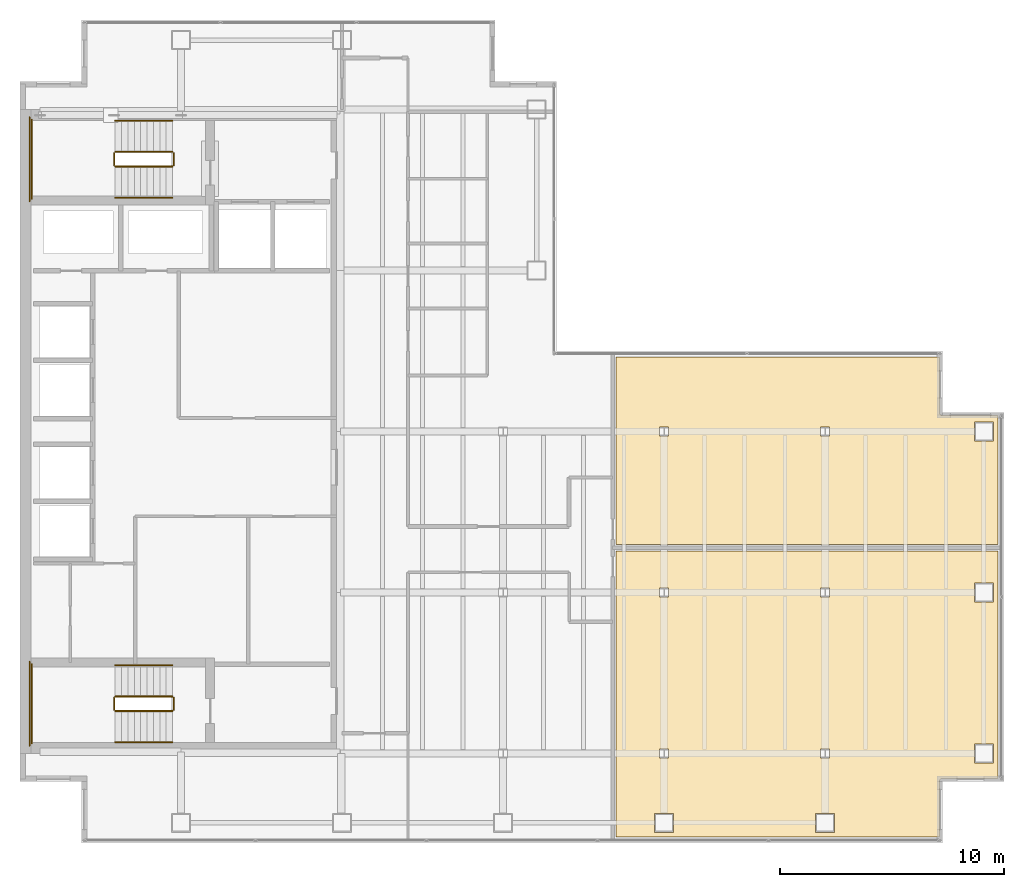
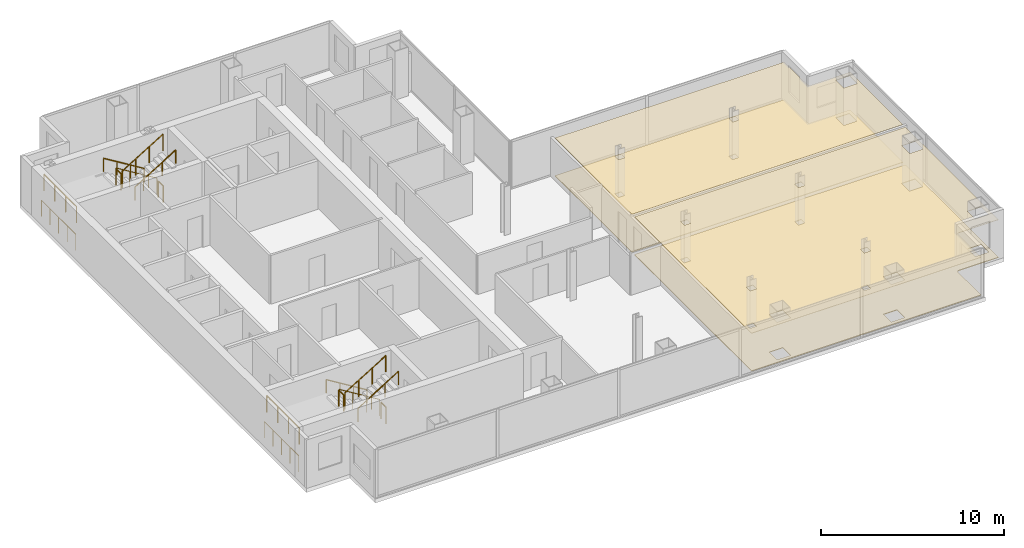
# One storey, part 23 of 23: 16 railings, 4 coverings.
"""IFC4 building model written with IfcOpenShell, lengths in metres."""

import ifcopenshell
import ifcopenshell.guid

model = None  # the IFC model being written
_history = None  # IfcOwnerHistory: only IFC2X3 demands one
_inside = {}  # id of a spatial element -> (the spatial element, [elements in it])
_under = {}  # id of a project, library or spatial element -> (it, [spatial elements below it])
_declared = {}  # id of a project -> (the project, [libraries it declares])
_typed = {}  # id of a type object -> (the type object, [elements of that type])
_made_of = {}  # id of a material, layer set ... -> (it, [elements and type objects made of it])


def new_model(schema):
    """Start an empty IFC model of exactly this schema.

    Asked for "IFC4X3", IfcOpenShell would pick the latest addendum, in which some entities
    have other attributes; the version numbers below select the first issue.
    IFC2X3 requires an IfcOwnerHistory on every rooted entity: one is made here for all.
    """
    global model, _history
    if schema == "IFC4X3":
        model = ifcopenshell.file(schema_version=(4, 3, 0, 0))
    else:
        model = ifcopenshell.file(schema=schema)
    _inside.clear()
    _under.clear()
    _declared.clear()
    _typed.clear()
    _made_of.clear()
    _history = None
    if model.schema == "IFC2X3":
        org = make("IfcOrganization", Name="unknown")
        user = make(
            "IfcPersonAndOrganization",
            ThePerson=make("IfcPerson", FamilyName="unknown"),
            TheOrganization=org,
        )
        app = make(
            "IfcApplication",
            ApplicationDeveloper=org,
            Version="unknown",
            ApplicationFullName="unknown",
            ApplicationIdentifier="unknown",
        )
        _history = make(
            "IfcOwnerHistory",
            OwningUser=user,
            OwningApplication=app,
            ChangeAction="ADDED",
            CreationDate=0,
        )
    return model


def make(cls, **values):
    """One entity of the class cls with the attributes given. An attribute that is None is left unset."""
    return model.create_entity(
        cls, **{name: value for name, value in values.items() if value is not None}
    )


def rooted(cls, **values):
    """An entity with a GlobalId (a new one), such as an element, a storey or a relation."""
    return make(cls, GlobalId=ifcopenshell.guid.new(), OwnerHistory=_history, **values)


def si_unit(unit_type, name, prefix=None):
    """IfcSIUnit, for example si_unit("LENGTHUNIT", "METRE", prefix="MILLI")."""
    return make("IfcSIUnit", UnitType=unit_type, Prefix=prefix, Name=name)


def assignment(units):
    """IfcUnitAssignment: the units of a project."""
    return None if units is None else make("IfcUnitAssignment", Units=units)


def point(xyz):
    """IfcCartesianPoint."""
    return None if xyz is None else make("IfcCartesianPoint", Coordinates=xyz)


def direction(xyz):
    """IfcDirection."""
    return None if xyz is None else make("IfcDirection", DirectionRatios=xyz)


def frame(location, z_axis=None, x_axis=None):
    """IfcAxis2Placement3D, a coordinate frame: its origin and axes. An axis left out is left unset."""
    return make(
        "IfcAxis2Placement3D",
        Location=point(location),
        Axis=direction(z_axis),
        RefDirection=direction(x_axis),
    )


def frame_2d(location, x_axis=None):
    """IfcAxis2Placement2D, a coordinate frame in the plane: its origin and x axis."""
    return make(
        "IfcAxis2Placement2D", Location=point(location), RefDirection=direction(x_axis)
    )


def origin():
    """The frame at (0, 0, 0) with its axes left unset."""
    return frame((0.0, 0.0, 0.0))


def origin_2d():
    """The frame at (0, 0) in the plane with its x axis left unset."""
    return frame_2d((0.0, 0.0))


def place(relative_to, where):
    """IfcLocalPlacement: puts the frame where relative to a parent placement (None: the world)."""
    return make(
        "IfcLocalPlacement", PlacementRelTo=relative_to, RelativePlacement=where
    )


def context(
    kind, dimensions, precision=None, world=None, true_north=None, identifier=None
):
    """IfcGeometricRepresentationContext, for example the 3D "Model" context."""
    return make(
        "IfcGeometricRepresentationContext",
        ContextIdentifier=identifier,
        ContextType=kind,
        CoordinateSpaceDimension=dimensions,
        Precision=precision,
        WorldCoordinateSystem=world,
        TrueNorth=true_north,
    )


def subcontext(parent, identifier, kind, view, scale=None):
    """IfcGeometricRepresentationSubContext, for example "Body" below "Model"."""
    return make(
        "IfcGeometricRepresentationSubContext",
        ContextIdentifier=identifier,
        ContextType=kind,
        ParentContext=parent,
        TargetScale=scale,
        TargetView=view,
    )


def project(units=None, contexts=None):
    """IfcProject with its units and contexts."""
    return rooted(
        "IfcProject",
        Name="project",
        RepresentationContexts=contexts,
        UnitsInContext=assignment(units),
    )


def spatial(cls, under=None, at=None, **own):
    """A site, building, storey or space (cls), placed at a placement, below another one or the project."""
    s = rooted(cls, ObjectPlacement=at, **own)
    if under is not None:
        _under.setdefault(under.id(), (under, []))[1].append(s)
    return s


def polyline(points):
    """IfcPolyline through the points."""
    return make("IfcPolyline", Points=[point(p) for p in points])


def profile(cls, at=None, kind="AREA", **sizes):
    """A parametric profile (cls). Its sizes go by their IFC names, for example OverallWidth=200.0."""
    return make(cls, ProfileType=kind, Position=at, **sizes)


def circle(**sizes):
    """IfcCircleProfileDef."""
    return profile("IfcCircleProfileDef", **sizes)


def outline(outer, holes=None, kind="AREA"):
    """IfcArbitraryClosedProfileDef: a profile drawn as a closed curve; with holes, ...WithVoids."""
    if holes is None:
        return make("IfcArbitraryClosedProfileDef", ProfileType=kind, OuterCurve=outer)
    return make(
        "IfcArbitraryProfileDefWithVoids",
        ProfileType=kind,
        OuterCurve=outer,
        InnerCurves=holes,
    )


def extrude(swept, where, along, depth):
    """IfcExtrudedAreaSolid: the profile swept, set in the frame where, extruded along a direction by depth."""
    return make(
        "IfcExtrudedAreaSolid",
        SweptArea=swept,
        Position=where,
        ExtrudedDirection=direction(along),
        Depth=depth,
    )


def shape(context_of_items, identifier, shape_type, items):
    """IfcShapeRepresentation: the items that make up one representation, for example the "Body"."""
    return make(
        "IfcShapeRepresentation",
        ContextOfItems=context_of_items,
        RepresentationIdentifier=identifier,
        RepresentationType=shape_type,
        Items=items,
    )


def material(Name=None, Category=None):
    """IfcMaterial."""
    return make("IfcMaterial", Name=Name, Category=Category)


def layer(
    of_material, thickness, ventilated=None, Name=None, Category=None, Priority=None
):
    """IfcMaterialLayer: one layer of a wall or slab, of a material (None: an air gap)."""
    return make(
        "IfcMaterialLayer",
        Material=of_material,
        LayerThickness=thickness,
        IsVentilated=ventilated,
        Name=Name,
        Category=Category,
        Priority=Priority,
    )


def layer_set(layers, Name=None):
    """IfcMaterialLayerSet."""
    return make("IfcMaterialLayerSet", MaterialLayers=layers, LayerSetName=Name)


def made_of(thing, what):
    """Note that an element or type object is made of a material, layer set ...; save() writes the relation."""
    if what is not None:
        _made_of.setdefault(what.id(), (what, []))[1].append(thing)
    return thing


def type_object(cls, material=None, **own):
    """A type object (cls), such as IfcWallType, which elements share."""
    return made_of(rooted(cls, **own), material)


def element(
    cls,
    number,
    at=None,
    inside=None,
    cuts=None,
    type_object=None,
    material=None,
    context=None,
    identifier="Body",
    shape_type=None,
    held_by="IfcProductDefinitionShape",
    body=None,
    shapes=None,
    **own,
):
    """One element of the class cls, such as IfcWall. Its Tag is "e" and its number.

    at: its placement. inside: the storey or other place that contains it. cuts: it is an
    opening in that element (IfcRelVoidsElement). A single representation is given by context,
    identifier, shape_type and body (its items); several are given by shapes. held_by: the class
    of the entity that holds the representations. save() writes the other relations.
    """
    e = rooted(cls, Tag="e%d" % number, ObjectPlacement=at, **own)
    if body is not None:
        shapes = [shape(context, identifier, shape_type, body)]
    if shapes is not None:
        e.Representation = make(held_by, Representations=shapes)
    if inside is not None:
        _inside.setdefault(inside.id(), (inside, []))[1].append(e)
    if cuts is not None:
        rooted(
            "IfcRelVoidsElement", RelatingBuildingElement=cuts, RelatedOpeningElement=e
        )
    if type_object is not None:
        _typed.setdefault(type_object.id(), (type_object, []))[1].append(e)
    return made_of(e, material)


def aggregate(whole, parts):
    """IfcRelAggregates: a whole, such as a stair, and the parts it consists of."""
    return rooted("IfcRelAggregates", RelatingObject=whole, RelatedObjects=parts)


def save(model, path):
    """Write the relations noted so far, then the file.

    IfcRelAggregates (storeys below a building ...), IfcRelContainedInSpatialStructure (elements
    in a storey), IfcRelDefinesByType, IfcRelAssociatesMaterial and IfcRelDeclares: one each for
    every whole, place, type object, material and project.
    """
    for whole, parts in _under.values():
        aggregate(whole, parts)
    for where, things in _inside.values():
        rooted(
            "IfcRelContainedInSpatialStructure",
            RelatedElements=things,
            RelatingStructure=where,
        )
    for kind, things in _typed.values():
        rooted("IfcRelDefinesByType", RelatedObjects=things, RelatingType=kind)
    for what, things in _made_of.values():
        rooted("IfcRelAssociatesMaterial", RelatedObjects=things, RelatingMaterial=what)
    for by, libraries in _declared.values():
        rooted("IfcRelDeclares", RelatingContext=by, RelatedDefinitions=libraries)
    model.write(path)


model = new_model("IFC4")

# Units and contexts
model_context = context("Model", 3, precision=1e-05, world=origin(), true_north=direction((0.0, 1.0)))
body_context = subcontext(model_context, "Body", "Model", "MODEL_VIEW")
ifc_project = project(units=[si_unit("LENGTHUNIT", "METRE"), si_unit("AREAUNIT", "SQUARE_METRE"), si_unit("VOLUMEUNIT", "CUBIC_METRE"), si_unit("PLANEANGLEUNIT", "RADIAN"), si_unit("MASSUNIT", "GRAM", prefix="KILO")], contexts=[model_context])

# Site, building, storey
site_placement = place(None, origin())
site = spatial("IfcSite", under=ifc_project, at=site_placement, CompositionType="ELEMENT")
building_placement = place(site_placement, origin())
building = spatial("IfcBuilding", under=site, at=building_placement, Name="Cobrela Telecom Tower", CompositionType="ELEMENT")
storey_placement = place(building_placement, frame((0.0, 0.0, 176.75)))
storey = spatial("IfcBuildingStorey", under=building, at=storey_placement, Name="L44", CompositionType="ELEMENT", Elevation=176.75)

# Coverings
ifc_material_1 = material(Name="Mineral Fibre Acoustic Ceiling Tile")
ifc_layer_1 = layer(ifc_material_1, 0.02490234375)
ifc_layer_set_1 = layer_set([ifc_layer_1], Name="Mineral Fibre Acoustic Ceiling Tile")
covering_type_1 = type_object("IfcCoveringType", Name="COV-CEIL-ACT", PredefinedType="CEILING", material=ifc_layer_set_1)
covering_1_placement = place(storey_placement, frame((0.0, 0.0, 2.52001953125)))
element("IfcCovering", 1, at=covering_1_placement, inside=storey, type_object=covering_type_1, Name="L44 Executive Reading Study 6 Suspended Acoustic Ceiling", PredefinedType="CEILING", context=body_context, shape_type="SweptSolid", body=[
    extrude(outline(polyline([(43.739990234375, 6.090087890625), (41.2490234375, 6.090087890625), (41.236328125, 6.08935546875), (41.22265625, 6.08740234375), (41.20947265625, 6.083984375), (41.1962890625, 6.079345703125), (41.18408203125, 6.073486328125), (41.172119140625, 6.06640625), (41.1611328125, 6.058349609375), (41.15087890625, 6.049072265625), (41.1416015625, 6.038818359375), (41.133544921875, 6.02783203125), (41.12646484375, 6.01611328125), (41.12060546875, 6.003662109375), (41.115966796875, 5.990478515625), (41.112548828125, 5.977294921875), (41.110595703125, 5.963623046875), (41.110107421875, 5.950927734375), (41.110107421875, 3.4599609375), (26.639892578125, 3.4599609375), (26.639892578125, 16.260009765625), (43.739990234375, 16.260009765625), (43.739990234375, 6.090087890625)]), holes=[polyline([(29.22509765625, 3.675048828125), (29.22509765625, 4.52490234375), (28.375, 4.52490234375), (28.375, 3.675048828125), (29.22509765625, 3.675048828125)]), polyline([(36.425048828125, 4.52490234375), (35.574951171875, 4.52490234375), (35.574951171875, 3.675048828125), (36.425048828125, 3.675048828125), (36.425048828125, 4.52490234375)]), polyline([(28.99951171875, 7.39697265625), (28.6005859375, 7.39697265625), (28.6005859375, 7.0029296875), (28.99951171875, 7.0029296875), (28.99951171875, 7.39697265625)]), polyline([(36.199462890625, 7.0029296875), (36.199462890625, 7.39697265625), (35.800537109375, 7.39697265625), (35.800537109375, 7.0029296875), (36.199462890625, 7.0029296875)]), polyline([(43.52490234375, 6.77490234375), (43.52490234375, 7.625), (42.675048828125, 7.625), (42.675048828125, 6.77490234375), (43.52490234375, 6.77490234375)]), polyline([(28.99951171875, 14.596923828125), (28.6005859375, 14.596923828125), (28.6005859375, 14.202880859375), (28.99951171875, 14.202880859375), (28.99951171875, 14.596923828125)]), polyline([(36.199462890625, 14.202880859375), (36.199462890625, 14.596923828125), (35.800537109375, 14.596923828125), (35.800537109375, 14.202880859375), (36.199462890625, 14.202880859375)]), polyline([(43.52490234375, 13.97509765625), (43.52490234375, 14.824951171875), (42.675048828125, 14.824951171875), (42.675048828125, 13.97509765625), (43.52490234375, 13.97509765625)])]), origin(), (0.0, 0.0, 1.0), 0.02490234375),
])
covering_2_placement = place(storey_placement, frame((0.0, 0.0, 2.52001953125)))
element("IfcCovering", 2, at=covering_2_placement, inside=storey, type_object=covering_type_1, Name="L44 Systems Engineering Studio 7 Suspended Acoustic Ceiling", PredefinedType="CEILING", context=body_context, shape_type="SweptSolid", body=[
    extrude(outline(polyline([(41.110107421875, 24.93994140625), (41.110107421875, 22.448974609375), (41.110595703125, 22.436279296875), (41.112548828125, 22.422607421875), (41.115966796875, 22.409423828125), (41.12060546875, 22.396484375), (41.12646484375, 22.384033203125), (41.133544921875, 22.3720703125), (41.1416015625, 22.361083984375), (41.15087890625, 22.35107421875), (41.1611328125, 22.341796875), (41.172119140625, 22.33349609375), (41.18408203125, 22.326416015625), (41.1962890625, 22.320556640625), (41.20947265625, 22.31591796875), (41.22265625, 22.3125), (41.236328125, 22.310546875), (41.2490234375, 22.31005859375), (43.739990234375, 22.31005859375), (43.739990234375, 16.5400390625), (26.639892578125, 16.5400390625), (26.639892578125, 24.93994140625), (41.110107421875, 24.93994140625)]), holes=[polyline([(28.99951171875, 21.797119140625), (28.6005859375, 21.797119140625), (28.6005859375, 21.403076171875), (28.99951171875, 21.403076171875), (28.99951171875, 21.797119140625)]), polyline([(36.199462890625, 21.403076171875), (36.199462890625, 21.797119140625), (35.800537109375, 21.797119140625), (35.800537109375, 21.403076171875), (36.199462890625, 21.403076171875)]), polyline([(43.52490234375, 21.175048828125), (43.52490234375, 22.02490234375), (42.675048828125, 22.02490234375), (42.675048828125, 21.175048828125), (43.52490234375, 21.175048828125)])]), origin(), (0.0, 0.0, 1.0), 0.02490234375),
])
ifc_material_2 = material(Name="Honed Colombian Basalt Stone", Category="masonry")
ifc_layer_2 = layer(ifc_material_2, 0.0400390625)
ifc_layer_set_2 = layer_set([ifc_layer_2], Name="Honed Colombian Basalt Stone")
covering_type_2 = type_object("IfcCoveringType", Name="COV-FLR-STONE", PredefinedType="FLOORING", material=ifc_layer_set_2)
covering_3_placement = place(storey_placement, origin())
element("IfcCovering", 3, at=covering_3_placement, inside=storey, type_object=covering_type_2, Name="L44 Executive Reading Study 6 Raised Technical Flooring", PredefinedType="FLOORING", context=body_context, shape_type="SweptSolid", body=[
    extrude(outline(polyline([(43.739990234375, 6.090087890625), (41.2490234375, 6.090087890625), (41.236328125, 6.08935546875), (41.22265625, 6.08740234375), (41.20947265625, 6.083984375), (41.1962890625, 6.079345703125), (41.18408203125, 6.073486328125), (41.172119140625, 6.06640625), (41.1611328125, 6.058349609375), (41.15087890625, 6.049072265625), (41.1416015625, 6.038818359375), (41.133544921875, 6.02783203125), (41.12646484375, 6.01611328125), (41.12060546875, 6.003662109375), (41.115966796875, 5.990478515625), (41.112548828125, 5.977294921875), (41.110595703125, 5.963623046875), (41.110107421875, 5.950927734375), (41.110107421875, 3.4599609375), (26.639892578125, 3.4599609375), (26.639892578125, 16.260009765625), (43.739990234375, 16.260009765625), (43.739990234375, 6.090087890625)]), holes=[polyline([(29.22509765625, 3.675048828125), (29.22509765625, 4.52490234375), (28.375, 4.52490234375), (28.375, 3.675048828125), (29.22509765625, 3.675048828125)]), polyline([(36.425048828125, 4.52490234375), (35.574951171875, 4.52490234375), (35.574951171875, 3.675048828125), (36.425048828125, 3.675048828125), (36.425048828125, 4.52490234375)]), polyline([(28.99951171875, 7.39697265625), (28.6005859375, 7.39697265625), (28.6005859375, 7.0029296875), (28.99951171875, 7.0029296875), (28.99951171875, 7.39697265625)]), polyline([(36.199462890625, 7.0029296875), (36.199462890625, 7.39697265625), (35.800537109375, 7.39697265625), (35.800537109375, 7.0029296875), (36.199462890625, 7.0029296875)]), polyline([(43.52490234375, 6.77490234375), (43.52490234375, 7.625), (42.675048828125, 7.625), (42.675048828125, 6.77490234375), (43.52490234375, 6.77490234375)]), polyline([(28.99951171875, 14.596923828125), (28.6005859375, 14.596923828125), (28.6005859375, 14.202880859375), (28.99951171875, 14.202880859375), (28.99951171875, 14.596923828125)]), polyline([(36.199462890625, 14.202880859375), (36.199462890625, 14.596923828125), (35.800537109375, 14.596923828125), (35.800537109375, 14.202880859375), (36.199462890625, 14.202880859375)]), polyline([(43.52490234375, 13.97509765625), (43.52490234375, 14.824951171875), (42.675048828125, 14.824951171875), (42.675048828125, 13.97509765625), (43.52490234375, 13.97509765625)])]), origin(), (0.0, 0.0, 1.0), 0.0400390625),
])
covering_4_placement = place(storey_placement, origin())
element("IfcCovering", 4, at=covering_4_placement, inside=storey, type_object=covering_type_2, Name="L44 Systems Engineering Studio 7 Raised Technical Flooring", PredefinedType="FLOORING", context=body_context, shape_type="SweptSolid", body=[
    extrude(outline(polyline([(41.110107421875, 24.93994140625), (41.110107421875, 22.448974609375), (41.110595703125, 22.436279296875), (41.112548828125, 22.422607421875), (41.115966796875, 22.409423828125), (41.12060546875, 22.396484375), (41.12646484375, 22.384033203125), (41.133544921875, 22.3720703125), (41.1416015625, 22.361083984375), (41.15087890625, 22.35107421875), (41.1611328125, 22.341796875), (41.172119140625, 22.33349609375), (41.18408203125, 22.326416015625), (41.1962890625, 22.320556640625), (41.20947265625, 22.31591796875), (41.22265625, 22.3125), (41.236328125, 22.310546875), (41.2490234375, 22.31005859375), (43.739990234375, 22.31005859375), (43.739990234375, 16.5400390625), (26.639892578125, 16.5400390625), (26.639892578125, 24.93994140625), (41.110107421875, 24.93994140625)]), holes=[polyline([(28.99951171875, 21.797119140625), (28.6005859375, 21.797119140625), (28.6005859375, 21.403076171875), (28.99951171875, 21.403076171875), (28.99951171875, 21.797119140625)]), polyline([(36.199462890625, 21.403076171875), (36.199462890625, 21.797119140625), (35.800537109375, 21.797119140625), (35.800537109375, 21.403076171875), (36.199462890625, 21.403076171875)]), polyline([(43.52490234375, 21.175048828125), (43.52490234375, 22.02490234375), (42.675048828125, 22.02490234375), (42.675048828125, 21.175048828125), (43.52490234375, 21.175048828125)])]), origin(), (0.0, 0.0, 1.0), 0.0400390625),
])

# Railings
ifc_material_3 = material(Name="Steel ASTM A36", Category="steel")
railing_type_1 = type_object("IfcRailingType", Name="RAIL-GUARD-1100", PredefinedType="GUARDRAIL", material=ifc_material_3)
railing_1_placement = place(storey_placement, frame((6.820068359375, 34.10009765625, 0.175048828125)))
element("IfcRailing", 5, at=railing_1_placement, inside=storey, type_object=railing_type_1, Name="L44 ST1 stair guard 1", PredefinedType="GUARDRAIL", context=body_context, shape_type="SweptSolid", body=[
    extrude(circle(Radius=0.02392578125, at=origin_2d()), frame((0.0, 0.0, 1.076171875), z_axis=(-0.852195335862, 0.0, 0.523223766217), x_axis=(0.0, -1.0, 0.0)), (0.0, 0.0, 1.0), 3.010009765625),
    extrude(circle(Radius=0.02099609375, at=origin_2d()), origin(), (0.0, 0.0, 1.0), 1.052001953125),
    extrude(circle(Radius=0.02099609375, at=origin_2d()), frame((-0.85498046875, 0.0, 0.52490234375)), (0.0, 0.0, 1.0), 1.052001953125),
    extrude(circle(Radius=0.02099609375, at=origin_2d()), frame((-1.710205078125, 0.0, 1.050048828125)), (0.0, 0.0, 1.0), 1.052001953125),
    extrude(circle(Radius=0.02099609375, at=origin_2d()), frame((-2.565185546875, 0.0, 1.574951171875)), (0.0, 0.0, 1.0), 1.052001953125),
])
railing_2_placement = place(storey_placement, frame((4.205078125, 34.050048828125, 1.75)))
element("IfcRailing", 6, at=railing_2_placement, inside=storey, type_object=railing_type_1, Name="L44 ST1 stair guard 2", PredefinedType="GUARDRAIL", context=body_context, shape_type="SweptSolid", body=[
    extrude(circle(Radius=0.02392578125, at=origin_2d()), frame((0.0, 0.0, 1.076171875), z_axis=(0.0, -1.0, 0.0), x_axis=(1.0, 0.0, 0.0)), (0.0, 0.0, 1.0), 0.550048828125),
    extrude(circle(Radius=0.02099609375, at=origin_2d()), origin(), (0.0, 0.0, 1.0), 1.052001953125),
    extrude(circle(Radius=0.02099609375, at=origin_2d()), frame((0.0, -0.550048828125, 0.0)), (0.0, 0.0, 1.0), 1.052001953125),
])
railing_3_placement = place(storey_placement, frame((0.530029296875, 35.550048828125, 1.75)))
element("IfcRailing", 7, at=railing_3_placement, inside=storey, type_object=railing_type_1, Name="L44 ST1 stair guard 3", PredefinedType="GUARDRAIL", context=body_context, shape_type="SweptSolid", body=[
    extrude(circle(Radius=0.02392578125, at=origin_2d()), frame((0.0, 0.0, 1.076171875), z_axis=(0.0, -1.0, 0.0), x_axis=(1.0, 0.0, 0.0)), (0.0, 0.0, 1.0), 3.550048828125),
    extrude(circle(Radius=0.02099609375, at=origin_2d()), origin(), (0.0, 0.0, 1.0), 1.052001953125),
    extrude(circle(Radius=0.02099609375, at=origin_2d()), frame((0.0, -1.183349609375, 0.0)), (0.0, 0.0, 1.0), 1.052001953125),
    extrude(circle(Radius=0.02099609375, at=origin_2d()), frame((0.0, -2.36669921875, 0.0)), (0.0, 0.0, 1.0), 1.052001953125),
    extrude(circle(Radius=0.02099609375, at=origin_2d()), frame((0.0, -3.550048828125, 0.0)), (0.0, 0.0, 1.0), 1.052001953125),
])
railing_4_placement = place(storey_placement, frame((4.2548828125, 33.449951171875, 1.925048828125)))
element("IfcRailing", 8, at=railing_4_placement, inside=storey, type_object=railing_type_1, Name="L44 ST1 stair guard 4", PredefinedType="GUARDRAIL", context=body_context, shape_type="SweptSolid", body=[
    extrude(circle(Radius=0.02392578125, at=origin_2d()), frame((0.0, 0.0, 1.076171875), z_axis=(0.852195335862, 0.0, 0.523223766217), x_axis=(0.0, 1.0, 0.0)), (0.0, 0.0, 1.0), 3.010009765625),
    extrude(circle(Radius=0.02099609375, at=origin_2d()), origin(), (0.0, 0.0, 1.0), 1.052001953125),
    extrude(circle(Radius=0.02099609375, at=origin_2d()), frame((0.85498046875, 0.0, 0.52490234375)), (0.0, 0.0, 1.0), 1.052001953125),
    extrude(circle(Radius=0.02099609375, at=origin_2d()), frame((1.710205078125, 0.0, 1.050048828125)), (0.0, 0.0, 1.0), 1.052001953125),
    extrude(circle(Radius=0.02099609375, at=origin_2d()), frame((2.565185546875, 0.0, 1.574951171875)), (0.0, 0.0, 1.0), 1.052001953125),
])
railing_5_placement = place(storey_placement, frame((6.8701171875, 34.050048828125, 0.0)))
element("IfcRailing", 9, at=railing_5_placement, inside=storey, type_object=railing_type_1, Name="L44 ST1 stair guard 5", PredefinedType="GUARDRAIL", context=body_context, shape_type="SweptSolid", body=[
    extrude(circle(Radius=0.02392578125, at=origin_2d()), frame((0.0, 0.0, 1.076171875), z_axis=(0.0, -1.0, 0.0), x_axis=(1.0, 0.0, 0.0)), (0.0, 0.0, 1.0), 0.550048828125),
    extrude(circle(Radius=0.02099609375, at=origin_2d()), origin(), (0.0, 0.0, 1.0), 1.052001953125),
    extrude(circle(Radius=0.02099609375, at=origin_2d()), frame((0.0, -0.550048828125, 0.0)), (0.0, 0.0, 1.0), 1.052001953125),
])
railing_6_placement = place(storey_placement, frame((0.429931640625, 35.64990234375, 0.0)))
element("IfcRailing", 10, at=railing_6_placement, inside=storey, type_object=railing_type_1, Name="L44 ST1 stair guard 6", PredefinedType="GUARDRAIL", context=body_context, shape_type="SweptSolid", body=[
    extrude(circle(Radius=0.02392578125, at=origin_2d()), frame((0.0, 0.0, 1.076171875), z_axis=(0.0, -1.0, 0.0), x_axis=(1.0, 0.0, 0.0)), (0.0, 0.0, 1.0), 3.75),
    extrude(circle(Radius=0.02099609375, at=origin_2d()), origin(), (0.0, 0.0, 1.0), 1.052001953125),
    extrude(circle(Radius=0.02099609375, at=origin_2d()), frame((0.0, -0.9375, 0.0)), (0.0, 0.0, 1.0), 1.052001953125),
    extrude(circle(Radius=0.02099609375, at=origin_2d()), frame((0.0, -1.875, 0.0)), (0.0, 0.0, 1.0), 1.052001953125),
    extrude(circle(Radius=0.02099609375, at=origin_2d()), frame((0.0, -2.8125, 0.0)), (0.0, 0.0, 1.0), 1.052001953125),
    extrude(circle(Radius=0.02099609375, at=origin_2d()), frame((0.0, -3.75, 0.0)), (0.0, 0.0, 1.0), 1.052001953125),
])
railing_7_placement = place(storey_placement, frame((6.820068359375, 9.75, 0.175048828125)))
element("IfcRailing", 11, at=railing_7_placement, inside=storey, type_object=railing_type_1, Name="L44 ST2 stair guard 1", PredefinedType="GUARDRAIL", context=body_context, shape_type="SweptSolid", body=[
    extrude(circle(Radius=0.02392578125, at=origin_2d()), frame((0.0, 0.0, 1.076171875), z_axis=(-0.852195335862, 0.0, 0.523223766217), x_axis=(0.0, -1.0, 0.0)), (0.0, 0.0, 1.0), 3.010009765625),
    extrude(circle(Radius=0.02099609375, at=origin_2d()), origin(), (0.0, 0.0, 1.0), 1.052001953125),
    extrude(circle(Radius=0.02099609375, at=origin_2d()), frame((-0.85498046875, 0.0, 0.52490234375)), (0.0, 0.0, 1.0), 1.052001953125),
    extrude(circle(Radius=0.02099609375, at=origin_2d()), frame((-1.710205078125, 0.0, 1.050048828125)), (0.0, 0.0, 1.0), 1.052001953125),
    extrude(circle(Radius=0.02099609375, at=origin_2d()), frame((-2.565185546875, 0.0, 1.574951171875)), (0.0, 0.0, 1.0), 1.052001953125),
])
railing_8_placement = place(storey_placement, frame((4.205078125, 9.699951171875, 1.75)))
element("IfcRailing", 12, at=railing_8_placement, inside=storey, type_object=railing_type_1, Name="L44 ST2 stair guard 2", PredefinedType="GUARDRAIL", context=body_context, shape_type="SweptSolid", body=[
    extrude(circle(Radius=0.02392578125, at=origin_2d()), frame((0.0, 0.0, 1.076171875), z_axis=(0.0, -1.0, 0.0), x_axis=(1.0, 0.0, 0.0)), (0.0, 0.0, 1.0), 0.550048828125),
    extrude(circle(Radius=0.02099609375, at=origin_2d()), origin(), (0.0, 0.0, 1.0), 1.052001953125),
    extrude(circle(Radius=0.02099609375, at=origin_2d()), frame((0.0, -0.550048828125, 0.0)), (0.0, 0.0, 1.0), 1.052001953125),
])
railing_9_placement = place(storey_placement, frame((0.530029296875, 11.199951171875, 1.75)))
element("IfcRailing", 13, at=railing_9_placement, inside=storey, type_object=railing_type_1, Name="L44 ST2 stair guard 3", PredefinedType="GUARDRAIL", context=body_context, shape_type="SweptSolid", body=[
    extrude(circle(Radius=0.02392578125, at=origin_2d()), frame((0.0, 0.0, 1.076171875), z_axis=(0.0, -1.0, 0.0), x_axis=(1.0, 0.0, 0.0)), (0.0, 0.0, 1.0), 3.550048828125),
    extrude(circle(Radius=0.02099609375, at=origin_2d()), origin(), (0.0, 0.0, 1.0), 1.052001953125),
    extrude(circle(Radius=0.02099609375, at=origin_2d()), frame((0.0, -1.183349609375, 0.0)), (0.0, 0.0, 1.0), 1.052001953125),
    extrude(circle(Radius=0.02099609375, at=origin_2d()), frame((0.0, -2.36669921875, 0.0)), (0.0, 0.0, 1.0), 1.052001953125),
    extrude(circle(Radius=0.02099609375, at=origin_2d()), frame((0.0, -3.550048828125, 0.0)), (0.0, 0.0, 1.0), 1.052001953125),
])
railing_10_placement = place(storey_placement, frame((4.2548828125, 9.10009765625, 1.925048828125)))
element("IfcRailing", 14, at=railing_10_placement, inside=storey, type_object=railing_type_1, Name="L44 ST2 stair guard 4", PredefinedType="GUARDRAIL", context=body_context, shape_type="SweptSolid", body=[
    extrude(circle(Radius=0.02392578125, at=origin_2d()), frame((0.0, 0.0, 1.076171875), z_axis=(0.852195335862, 0.0, 0.523223766217), x_axis=(0.0, 1.0, 0.0)), (0.0, 0.0, 1.0), 3.010009765625),
    extrude(circle(Radius=0.02099609375, at=origin_2d()), origin(), (0.0, 0.0, 1.0), 1.052001953125),
    extrude(circle(Radius=0.02099609375, at=origin_2d()), frame((0.85498046875, 0.0, 0.52490234375)), (0.0, 0.0, 1.0), 1.052001953125),
    extrude(circle(Radius=0.02099609375, at=origin_2d()), frame((1.710205078125, 0.0, 1.050048828125)), (0.0, 0.0, 1.0), 1.052001953125),
    extrude(circle(Radius=0.02099609375, at=origin_2d()), frame((2.565185546875, 0.0, 1.574951171875)), (0.0, 0.0, 1.0), 1.052001953125),
])
railing_11_placement = place(storey_placement, frame((6.8701171875, 9.699951171875, 0.0)))
element("IfcRailing", 15, at=railing_11_placement, inside=storey, type_object=railing_type_1, Name="L44 ST2 stair guard 5", PredefinedType="GUARDRAIL", context=body_context, shape_type="SweptSolid", body=[
    extrude(circle(Radius=0.02392578125, at=origin_2d()), frame((0.0, 0.0, 1.076171875), z_axis=(0.0, -1.0, 0.0), x_axis=(1.0, 0.0, 0.0)), (0.0, 0.0, 1.0), 0.550048828125),
    extrude(circle(Radius=0.02099609375, at=origin_2d()), origin(), (0.0, 0.0, 1.0), 1.052001953125),
    extrude(circle(Radius=0.02099609375, at=origin_2d()), frame((0.0, -0.550048828125, 0.0)), (0.0, 0.0, 1.0), 1.052001953125),
])
railing_12_placement = place(storey_placement, frame((0.429931640625, 11.300048828125, 0.0)))
element("IfcRailing", 16, at=railing_12_placement, inside=storey, type_object=railing_type_1, Name="L44 ST2 stair guard 6", PredefinedType="GUARDRAIL", context=body_context, shape_type="SweptSolid", body=[
    extrude(circle(Radius=0.02392578125, at=origin_2d()), frame((0.0, 0.0, 1.076171875), z_axis=(0.0, -1.0, 0.0), x_axis=(1.0, 0.0, 0.0)), (0.0, 0.0, 1.0), 3.75),
    extrude(circle(Radius=0.02099609375, at=origin_2d()), origin(), (0.0, 0.0, 1.0), 1.052001953125),
    extrude(circle(Radius=0.02099609375, at=origin_2d()), frame((0.0, -0.9375, 0.0)), (0.0, 0.0, 1.0), 1.052001953125),
    extrude(circle(Radius=0.02099609375, at=origin_2d()), frame((0.0, -1.875, 0.0)), (0.0, 0.0, 1.0), 1.052001953125),
    extrude(circle(Radius=0.02099609375, at=origin_2d()), frame((0.0, -2.8125, 0.0)), (0.0, 0.0, 1.0), 1.052001953125),
    extrude(circle(Radius=0.02099609375, at=origin_2d()), frame((0.0, -3.75, 0.0)), (0.0, 0.0, 1.0), 1.052001953125),
])
railing_type_2 = type_object("IfcRailingType", Name="RAIL-HAND-920", PredefinedType="HANDRAIL", material=ifc_material_3)
railing_13_placement = place(storey_placement, frame((6.820068359375, 35.5, 0.175048828125)))
element("IfcRailing", 17, at=railing_13_placement, inside=storey, type_object=railing_type_2, Name="L44 ST1 stair handrail 1", PredefinedType="HANDRAIL", context=body_context, shape_type="SweptSolid", body=[
    extrude(circle(Radius=0.02392578125, at=origin_2d()), frame((0.0, 0.0, 0.8759765625), z_axis=(-0.852195335862, 0.0, 0.523223766217), x_axis=(0.0, -1.0, 0.0)), (0.0, 0.0, 1.0), 3.010009765625),
    extrude(circle(Radius=0.02099609375, at=origin_2d()), origin(), (0.0, 0.0, 1.0), 0.851806640625),
    extrude(circle(Radius=0.02099609375, at=origin_2d()), frame((-0.85498046875, 0.0, 0.52490234375)), (0.0, 0.0, 1.0), 0.851806640625),
    extrude(circle(Radius=0.02099609375, at=origin_2d()), frame((-1.710205078125, 0.0, 1.050048828125)), (0.0, 0.0, 1.0), 0.851806640625),
    extrude(circle(Radius=0.02099609375, at=origin_2d()), frame((-2.565185546875, 0.0, 1.574951171875)), (0.0, 0.0, 1.0), 0.851806640625),
])
railing_14_placement = place(storey_placement, frame((4.2548828125, 32.050048828125, 1.925048828125)))
element("IfcRailing", 18, at=railing_14_placement, inside=storey, type_object=railing_type_2, Name="L44 ST1 stair handrail 2", PredefinedType="HANDRAIL", context=body_context, shape_type="SweptSolid", body=[
    extrude(circle(Radius=0.02392578125, at=origin_2d()), frame((0.0, 0.0, 0.8759765625), z_axis=(0.852195335862, 0.0, 0.523223766217), x_axis=(0.0, 1.0, 0.0)), (0.0, 0.0, 1.0), 3.010009765625),
    extrude(circle(Radius=0.02099609375, at=origin_2d()), origin(), (0.0, 0.0, 1.0), 0.851806640625),
    extrude(circle(Radius=0.02099609375, at=origin_2d()), frame((0.85498046875, 0.0, 0.52490234375)), (0.0, 0.0, 1.0), 0.851806640625),
    extrude(circle(Radius=0.02099609375, at=origin_2d()), frame((1.710205078125, 0.0, 1.050048828125)), (0.0, 0.0, 1.0), 0.851806640625),
    extrude(circle(Radius=0.02099609375, at=origin_2d()), frame((2.565185546875, 0.0, 1.574951171875)), (0.0, 0.0, 1.0), 0.851806640625),
])
railing_15_placement = place(storey_placement, frame((6.820068359375, 11.14990234375, 0.175048828125)))
element("IfcRailing", 19, at=railing_15_placement, inside=storey, type_object=railing_type_2, Name="L44 ST2 stair handrail 1", PredefinedType="HANDRAIL", context=body_context, shape_type="SweptSolid", body=[
    extrude(circle(Radius=0.02392578125, at=origin_2d()), frame((0.0, 0.0, 0.8759765625), z_axis=(-0.852195335862, 0.0, 0.523223766217), x_axis=(0.0, -1.0, 0.0)), (0.0, 0.0, 1.0), 3.010009765625),
    extrude(circle(Radius=0.02099609375, at=origin_2d()), origin(), (0.0, 0.0, 1.0), 0.851806640625),
    extrude(circle(Radius=0.02099609375, at=origin_2d()), frame((-0.85498046875, 0.0, 0.52490234375)), (0.0, 0.0, 1.0), 0.851806640625),
    extrude(circle(Radius=0.02099609375, at=origin_2d()), frame((-1.710205078125, 0.0, 1.050048828125)), (0.0, 0.0, 1.0), 0.851806640625),
    extrude(circle(Radius=0.02099609375, at=origin_2d()), frame((-2.565185546875, 0.0, 1.574951171875)), (0.0, 0.0, 1.0), 0.851806640625),
])
railing_16_placement = place(storey_placement, frame((4.2548828125, 7.699951171875, 1.925048828125)))
element("IfcRailing", 20, at=railing_16_placement, inside=storey, type_object=railing_type_2, Name="L44 ST2 stair handrail 2", PredefinedType="HANDRAIL", context=body_context, shape_type="SweptSolid", body=[
    extrude(circle(Radius=0.02392578125, at=origin_2d()), frame((0.0, 0.0, 0.8759765625), z_axis=(0.852195335862, 0.0, 0.523223766217), x_axis=(0.0, 1.0, 0.0)), (0.0, 0.0, 1.0), 3.010009765625),
    extrude(circle(Radius=0.02099609375, at=origin_2d()), origin(), (0.0, 0.0, 1.0), 0.851806640625),
    extrude(circle(Radius=0.02099609375, at=origin_2d()), frame((0.85498046875, 0.0, 0.52490234375)), (0.0, 0.0, 1.0), 0.851806640625),
    extrude(circle(Radius=0.02099609375, at=origin_2d()), frame((1.710205078125, 0.0, 1.050048828125)), (0.0, 0.0, 1.0), 0.851806640625),
    extrude(circle(Radius=0.02099609375, at=origin_2d()), frame((2.565185546875, 0.0, 1.574951171875)), (0.0, 0.0, 1.0), 0.851806640625),
])

save(model, "model.ifc")
